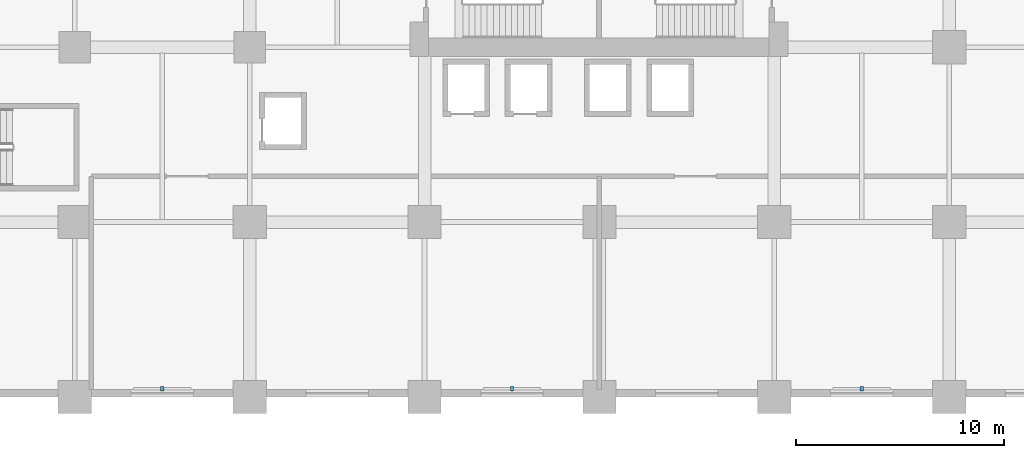
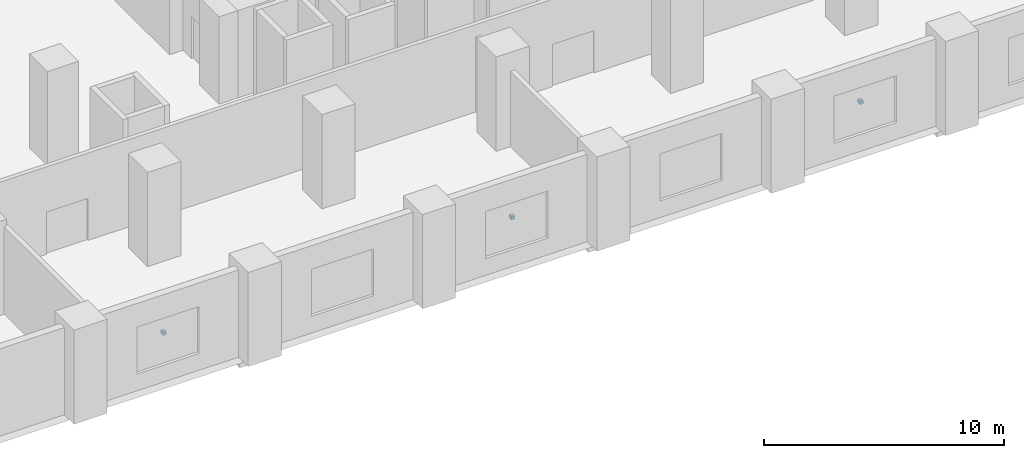
# One storey, part 15 of 22: 3 discrete accessories.
"""IFC4 building model written with IfcOpenShell, lengths in metres."""

from ifc_helpers import new_model, si_unit, direction, frame, origin, origin_2d, place, context, subcontext, project, spatial, rectangle, extrude, material, type_object, element, save


model = new_model("IFC4")

# Units and contexts
model_context = context("Model", 3, precision=1e-05, world=origin(), true_north=direction((0.0, 1.0)))
body_context = subcontext(model_context, "Body", "Model", "MODEL_VIEW")
ifc_project = project(units=[si_unit("LENGTHUNIT", "METRE"), si_unit("AREAUNIT", "SQUARE_METRE"), si_unit("VOLUMEUNIT", "CUBIC_METRE"), si_unit("PLANEANGLEUNIT", "RADIAN"), si_unit("MASSUNIT", "GRAM", prefix="KILO")], contexts=[model_context])

# Site, building, storey
site_placement = place(None, origin())
site = spatial("IfcSite", under=ifc_project, at=site_placement, CompositionType="ELEMENT")
building_placement = place(site_placement, origin())
building = spatial("IfcBuilding", under=site, at=building_placement, Name="Koriwani Terraces Tower", CompositionType="ELEMENT")
storey_placement = place(building_placement, frame((0.0, 0.0, 10.800048828125)))
storey = spatial("IfcBuildingStorey", under=building, at=storey_placement, Name="L02", CompositionType="ELEMENT", Elevation=10.800048828125)

# Discrete accessories
ifc_material = material(Name="Steel ASTM A572 Grade 50", Category="steel")
discrete_accessory_type = type_object("IfcDiscreteAccessoryType", Name="BAGUETTE_STANDOFF_BRACKET", PredefinedType="BRACKET", material=ifc_material)
for number, where, z_axis, x_axis, name in (
    (1, (29.39990234375, 0.389892578125, 2.134765625), (0.0, 0.0, 1.0), (-1.0, 0.0, 0.0), "L02 Terracotta Baguette Bracket (S-9)"),
    (2, (46.199951171875, 0.389892578125, 2.134765625), (0.0, 0.0, 1.0), (-1.0, 0.0, 0.0), "L02 Terracotta Baguette Bracket (S-15)"),
    (3, (63.0, 0.389892578125, 2.134765625), (0.0, 0.0, 1.0), (-1.0, 0.0, 0.0), "L02 Terracotta Baguette Bracket (S-21)"),
):
    element("IfcDiscreteAccessory", number, at=place(storey_placement, frame(where, z_axis=z_axis, x_axis=x_axis)), inside=storey, type_object=discrete_accessory_type, Name=name, PredefinedType="BRACKET", context=body_context, shape_type="SweptSolid", body=[
        extrude(rectangle(XDim=0.159912109375, YDim=0.199951171875, at=origin_2d()), origin(), (0.0, 0.0, 1.0), 0.179931640625),
    ])

save(model, "model.ifc")
